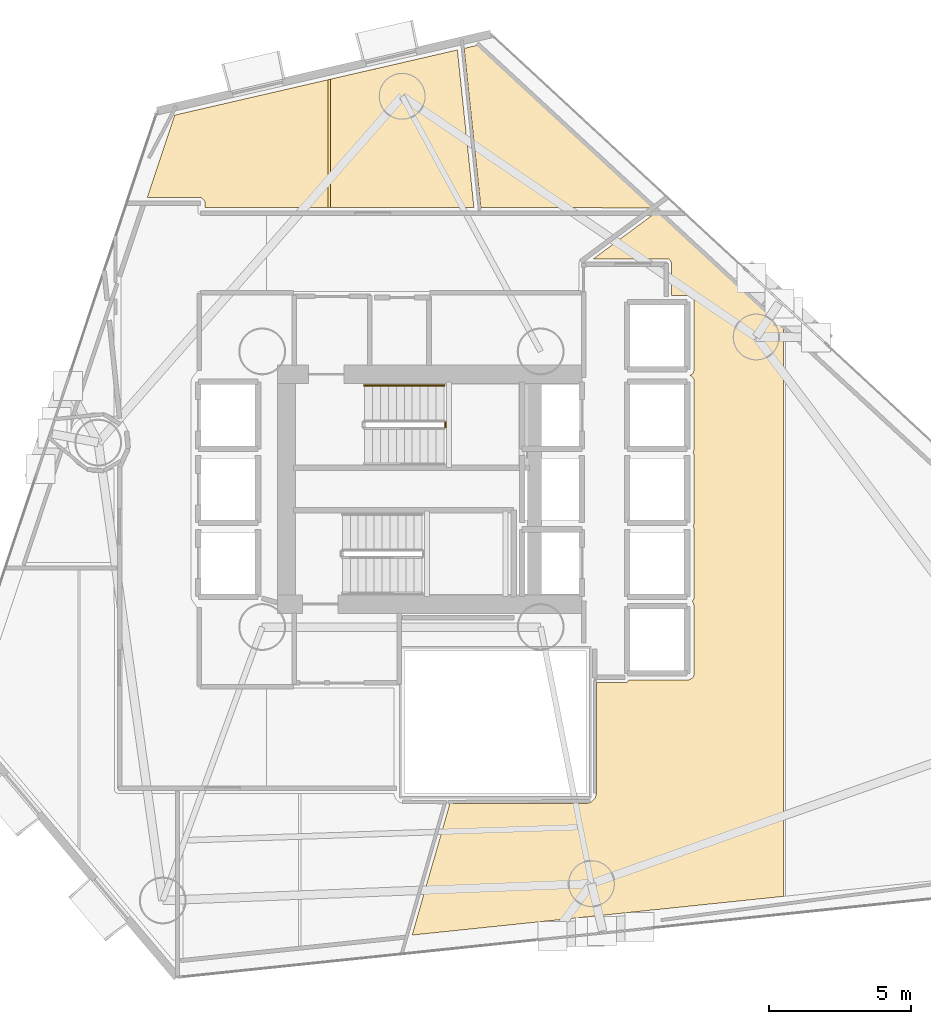
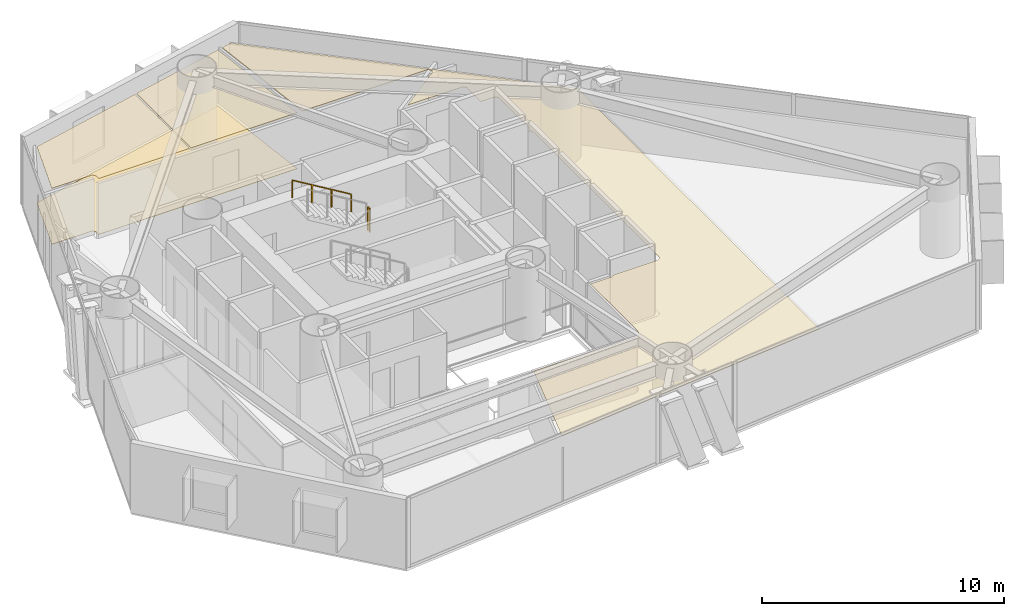
# One storey, part 22 of 23: 4 coverings, 2 railings.
"""IFC4 building model written with IfcOpenShell, lengths in metres."""

from ifc_helpers import new_model, si_unit, direction, frame, origin, origin_2d, place, context, subcontext, project, spatial, polyline, rectangle, outline, extrude, material, layer, layer_set, type_object, element, save


model = new_model("IFC4")

# Units and contexts
model_context = context("Model", 3, precision=1e-05, world=origin(), true_north=direction((0.0, 1.0)))
body_context = subcontext(model_context, "Body", "Model", "MODEL_VIEW")
ifc_project = project(units=[si_unit("LENGTHUNIT", "METRE"), si_unit("AREAUNIT", "SQUARE_METRE"), si_unit("VOLUMEUNIT", "CUBIC_METRE"), si_unit("PLANEANGLEUNIT", "RADIAN"), si_unit("MASSUNIT", "GRAM", prefix="KILO")], contexts=[model_context])

# Site, building, storey
site_placement = place(None, origin())
site = spatial("IfcSite", under=ifc_project, at=site_placement, CompositionType="ELEMENT")
building_placement = place(site_placement, origin())
building = spatial("IfcBuilding", under=site, at=building_placement, Name="Qianvela Tower", CompositionType="ELEMENT")
storey_placement = place(building_placement, frame((0.0, 0.0, 67.300048828125)))
storey = spatial("IfcBuildingStorey", under=building, at=storey_placement, Name="L16", CompositionType="ELEMENT", Elevation=67.300048828125)

# Coverings
ifc_material_1 = material(Name="Perforated Mineral Acoustic Ceiling Tile")
ifc_layer_1 = layer(ifc_material_1, 0.02490234375)
ifc_layer_set_1 = layer_set([ifc_layer_1], Name="Perforated Mineral Acoustic Ceiling Tile")
covering_type_1 = type_object("IfcCoveringType", Name="COV-CEIL-ACOUSTIC-25", PredefinedType="CEILING", material=ifc_layer_set_1)
covering_1_placement = place(storey_placement, frame((0.0, 0.0, 2.81494140625)))
element("IfcCovering", 1, at=covering_1_placement, inside=storey, type_object=covering_type_1, Name="L16 Acoustic Ceiling Bay 1 Tutorial Breakout Seminar L16-03", PredefinedType="CEILING", context=body_context, shape_type="SweptSolid", body=[
    extrude(outline(polyline([(43.785888671875, 24.83154296875), (43.7900390625, 24.839111328125), (43.793212890625, 24.84716796875), (43.79541015625, 24.85546875), (43.796875, 24.864013671875), (43.79736328125, 24.87255859375), (43.800048828125, 27.2998046875), (43.799560546875, 27.307861328125), (43.79833984375, 27.31591796875), (43.79638671875, 27.323486328125), (43.793701171875, 27.3310546875), (43.7646484375, 27.39990234375), (43.793701171875, 27.468994140625), (43.79638671875, 27.476318359375), (43.79833984375, 27.484130859375), (43.799560546875, 27.491943359375), (43.800048828125, 27.5), (43.800048828125, 29.89990234375), (43.799560546875, 29.907958984375), (43.79833984375, 29.915771484375), (43.79638671875, 29.923583984375), (43.793701171875, 29.93115234375), (43.7646484375, 30.0), (43.793701171875, 30.06884765625), (43.79638671875, 30.076416015625), (43.79833984375, 30.084228515625), (43.799560546875, 30.09228515625), (43.800048828125, 30.10009765625), (43.7939453125, 32.540771484375), (43.793701171875, 32.548583984375), (43.79248046875, 32.556396484375), (43.79052734375, 32.56396484375), (43.787841796875, 32.5712890625), (43.784423828125, 32.578369140625), (43.780517578125, 32.585205078125), (43.7353515625, 32.652587890625), (43.73095703125, 32.658447265625), (43.726318359375, 32.6640625), (43.720947265625, 32.6689453125), (43.715087890625, 32.673583984375), (43.708984375, 32.677490234375), (43.702392578125, 32.680908203125), (43.69580078125, 32.68359375), (43.644287109375, 32.701904296875), (43.722412109375, 32.739013671875), (43.729248046875, 32.74267578125), (43.73583984375, 32.746826171875), (43.741943359375, 32.751953125), (43.74755859375, 32.757568359375), (43.75244140625, 32.763427734375), (43.7568359375, 32.77001953125), (43.760498046875, 32.777099609375), (43.763427734375, 32.7841796875), (43.79541015625, 32.873046875), (43.79736328125, 32.879638671875), (43.798828125, 32.886474609375), (43.7998046875, 32.893310546875), (43.800048828125, 32.900146484375), (43.7939453125, 35.3408203125), (43.793701171875, 35.3486328125), (43.79248046875, 35.3564453125), (43.79052734375, 35.364013671875), (43.787841796875, 35.371337890625), (43.784423828125, 35.37841796875), (43.780517578125, 35.385009765625), (43.7353515625, 35.45263671875), (43.730712890625, 35.458984375), (43.725341796875, 35.46484375), (43.719482421875, 35.47021484375), (43.71337890625, 35.474609375), (43.70654296875, 35.478759765625), (43.699462890625, 35.482177734375), (43.624267578125, 35.51318359375), (43.616943359375, 35.515869140625), (43.609375, 35.517822265625), (43.6015625, 35.518798828125), (43.59375, 35.519287109375), (43.0, 35.52001953125), (43.010009765625, 36.6494140625), (43.009765625, 36.6572265625), (43.008544921875, 36.6650390625), (43.006591796875, 36.6728515625), (43.00390625, 36.680419921875), (43.00048828125, 36.6875), (42.99658203125, 36.6943359375), (42.947021484375, 36.768310546875), (42.9423828125, 36.774658203125), (42.937255859375, 36.780517578125), (42.931396484375, 36.78564453125), (42.925048828125, 36.790283203125), (42.91845703125, 36.79443359375), (42.911376953125, 36.7978515625), (42.904052734375, 36.80029296875), (42.896484375, 36.80224609375), (42.888671875, 36.803466796875), (42.880859375, 36.803955078125), (40.26220703125, 36.8095703125), (42.298583984375, 38.321533203125), (42.3046875, 38.32666015625), (42.310302734375, 38.332275390625), (42.315185546875, 38.33837890625), (42.319580078125, 38.34521484375), (42.323486328125, 38.352294921875), (42.35546875, 38.422119140625), (42.3583984375, 38.42919921875), (42.360595703125, 38.4365234375), (42.362060546875, 38.444091796875), (42.36279296875, 38.45166015625), (42.36279296875, 38.459228515625), (42.362060546875, 38.466796875), (42.360595703125, 38.474365234375), (42.3583984375, 38.481689453125), (42.355712890625, 38.48876953125), (42.35205078125, 38.49560546875), (42.347900390625, 38.501953125), (42.29931640625, 38.570068359375), (42.294677734375, 38.576171875), (42.289306640625, 38.58154296875), (42.28369140625, 38.586669921875), (42.277587890625, 38.591064453125), (42.27099609375, 38.5947265625), (42.263916015625, 38.597900390625), (42.2568359375, 38.600341796875), (42.24951171875, 38.602294921875), (42.241943359375, 38.603271484375), (42.234375, 38.603759765625), (36.29736328125, 38.60986328125), (35.708251953125, 44.215087890625), (36.16455078125, 44.3203125), (46.94091796875, 34.35791015625), (46.94091796875, 14.37060546875), (33.878662109375, 13.008544921875), (35.204345703125, 17.639892578125), (40.0, 17.639892578125), (40.006591796875, 17.640380859375), (40.012939453125, 17.64111328125), (40.019287109375, 17.642333984375), (40.1513671875, 17.675537109375), (40.15966796875, 17.677978515625), (40.16748046875, 17.681396484375), (40.175048828125, 17.685791015625), (40.18212890625, 17.690673828125), (40.188720703125, 17.696533203125), (40.303466796875, 17.811279296875), (40.309326171875, 17.81787109375), (40.314208984375, 17.824951171875), (40.318603515625, 17.83251953125), (40.322021484375, 17.84033203125), (40.324462890625, 17.8486328125), (40.357666015625, 17.980712890625), (40.35888671875, 17.987060546875), (40.359619140625, 17.993408203125), (40.360107421875, 18.0), (40.360107421875, 21.889892578125), (41.367919921875, 21.890380859375), (41.375732421875, 21.890869140625), (41.383544921875, 21.891845703125), (41.39111328125, 21.893798828125), (41.3984375, 21.896484375), (41.405517578125, 21.89990234375), (41.45947265625, 21.9287109375), (41.46630859375, 21.932861328125), (41.472900390625, 21.9375), (41.478759765625, 21.943115234375), (41.48388671875, 21.948974609375), (41.48876953125, 21.955322265625), (41.492919921875, 21.96240234375), (41.49609375, 21.969482421875), (41.498779296875, 21.97705078125), (41.49951171875, 21.97998046875), (43.580078125, 21.97998046875), (43.587890625, 21.98046875), (43.595703125, 21.9814453125), (43.603271484375, 21.9833984375), (43.610595703125, 21.986083984375), (43.61767578125, 21.989501953125), (43.734130859375, 22.0517578125), (43.740966796875, 22.0556640625), (43.747314453125, 22.060302734375), (43.7529296875, 22.065673828125), (43.75830078125, 22.071533203125), (43.762939453125, 22.077880859375), (43.76708984375, 22.08447265625), (43.770263671875, 22.091552734375), (43.77294921875, 22.09912109375), (43.796630859375, 22.1767578125), (43.798583984375, 22.184326171875), (43.799560546875, 22.192138671875), (43.800048828125, 22.199951171875), (43.800048828125, 24.60009765625), (43.7998046875, 24.60693359375), (43.798828125, 24.61376953125), (43.79736328125, 24.620361328125), (43.79541015625, 24.626953125), (43.763427734375, 24.7158203125), (43.760498046875, 24.722900390625), (43.7568359375, 24.72998046875), (43.75244140625, 24.736572265625), (43.74755859375, 24.742431640625), (43.741943359375, 24.748046875), (43.73779296875, 24.75146484375), (43.785888671875, 24.83154296875)])), origin(), (0.0, 0.0, 1.0), 0.02490234375),
])
covering_2_placement = place(storey_placement, frame((0.0, 0.0, 2.81494140625)))
element("IfcCovering", 2, at=covering_2_placement, inside=storey, type_object=covering_type_1, Name="L16 Acoustic Ceiling Bay 1 Print Copy Kiosk L16-04", PredefinedType="CEILING", context=body_context, shape_type="SweptSolid", body=[
    extrude(outline(polyline([(26.577880859375, 38.82373046875), (26.576904296875, 38.83154296875), (26.574951171875, 38.839111328125), (26.572265625, 38.846435546875), (26.56884765625, 38.853515625), (26.56494140625, 38.860107421875), (26.560302734375, 38.866455078125), (26.554931640625, 38.872314453125), (26.4921875, 38.93505859375), (26.486328125, 38.940185546875), (26.47998046875, 38.945068359375), (26.473388671875, 38.948974609375), (26.46630859375, 38.952392578125), (26.458984375, 38.955078125), (26.451416015625, 38.956787109375), (26.443603515625, 38.9580078125), (26.435791015625, 38.95849609375), (24.553466796875, 38.9599609375), (25.52001953125, 41.865478515625), (30.91650390625, 43.110107421875), (30.91650390625, 38.610107421875), (26.57958984375, 38.610107421875), (26.57861328125, 38.81591796875), (26.577880859375, 38.82373046875)])), origin(), (0.0, 0.0, 1.0), 0.02490234375),
])
covering_3_placement = place(storey_placement, frame((0.0, 0.0, 2.81494140625)))
element("IfcCovering", 3, at=covering_3_placement, inside=storey, type_object=covering_type_1, Name="L16 Acoustic Ceiling Bay 2 Print Copy Kiosk L16-04", PredefinedType="CEILING", context=body_context, shape_type="SweptSolid", body=[
    extrude(outline(polyline([(35.46875, 44.159912109375), (36.052001953125, 38.610107421875), (30.996337890625, 38.610107421875), (30.996337890625, 43.12841796875), (35.46875, 44.159912109375)])), origin(), (0.0, 0.0, 1.0), 0.02490234375),
])
ifc_material_2 = material(Name="Engineered Acoustic Oak Timber Flooring", Category="wood")
ifc_layer_2 = layer(ifc_material_2, 0.02001953125)
ifc_layer_set_2 = layer_set([ifc_layer_2], Name="Engineered Acoustic Oak Timber Flooring")
covering_type_2 = type_object("IfcCoveringType", Name="COV-FLOOR-OAK-20", PredefinedType="FLOORING", material=ifc_layer_set_2)
covering_4_placement = place(storey_placement, origin())
element("IfcCovering", 4, at=covering_4_placement, inside=storey, type_object=covering_type_2, Name="L16 Finish Flooring Print Copy Kiosk L16-04", PredefinedType="FLOORING", context=body_context, shape_type="SweptSolid", body=[
    extrude(outline(polyline([(26.57861328125, 38.81591796875), (26.577880859375, 38.82373046875), (26.576904296875, 38.83154296875), (26.574951171875, 38.839111328125), (26.572265625, 38.846435546875), (26.56884765625, 38.853515625), (26.56494140625, 38.860107421875), (26.560302734375, 38.866455078125), (26.554931640625, 38.872314453125), (26.4921875, 38.93505859375), (26.486328125, 38.940185546875), (26.47998046875, 38.945068359375), (26.473388671875, 38.948974609375), (26.46630859375, 38.952392578125), (26.458984375, 38.955078125), (26.451416015625, 38.956787109375), (26.443603515625, 38.9580078125), (26.435791015625, 38.95849609375), (24.553466796875, 38.9599609375), (25.52001953125, 41.865478515625), (35.46875, 44.159912109375), (36.052001953125, 38.610107421875), (26.57958984375, 38.610107421875), (26.57861328125, 38.81591796875)])), origin(), (0.0, 0.0, 1.0), 0.02001953125),
])

# Railings
ifc_material_3 = material(Name="Painted Tubular Steel Q355B", Category="steel")
railing_type_1 = type_object("IfcRailingType", Name="RL-STAIR-GUARD-1200", PredefinedType="GUARDRAIL", material=ifc_material_3)
railing_1_placement = place(storey_placement, frame((35.050048828125, 30.889892578125, 1.849853515625)))
element("IfcRailing", 5, at=railing_1_placement, inside=storey, type_object=railing_type_1, Name="L16 ST-1 stair guard 2", PredefinedType="GUARDRAIL", context=body_context, shape_type="SweptSolid", body=[
    extrude(rectangle(XDim=0.050048828125, YDim=0.0400390625, at=origin_2d()), frame((0.0, 0.0, 1.179931640625), z_axis=(0.0, 1.0, 0.0), x_axis=(-1.0, 0.0, 0.0)), (0.0, 0.0, 1.0), 0.16015625),
    extrude(rectangle(XDim=0.050048828125, YDim=0.050048828125, at=origin_2d()), origin(), (0.0, 0.0, 1.0), 1.159912109375),
    extrude(rectangle(XDim=0.050048828125, YDim=0.050048828125, at=origin_2d()), frame((0.0, 0.16015625, 0.0)), (0.0, 0.0, 1.0), 1.159912109375),
])
ifc_material_4 = material(Name="Brushed Stainless Steel 304", Category="steel")
railing_type_2 = type_object("IfcRailingType", Name="RL-STAIR-HANDRAIL-900", PredefinedType="HANDRAIL", material=ifc_material_4)
railing_2_placement = place(storey_placement, frame((35.0, 32.35009765625, 2.01806640625)))
element("IfcRailing", 6, at=railing_2_placement, inside=storey, type_object=railing_type_2, Name="L16 ST-1 stair handrail 2", PredefinedType="HANDRAIL", context=body_context, shape_type="SweptSolid", body=[
    extrude(rectangle(XDim=0.050048828125, YDim=0.0400390625, at=origin_2d()), frame((0.0, 0.0, 0.8798828125), z_axis=(-0.857242210791, 0.0, 0.514913383045), x_axis=(0.0, -1.0, 0.0)), (0.0, 0.0, 1.0), 3.266357421875),
    extrude(rectangle(XDim=0.050048828125, YDim=0.050048828125, at=origin_2d()), origin(), (0.0, 0.0, 1.0), 0.85986328125),
    extrude(rectangle(XDim=0.050048828125, YDim=0.050048828125, at=origin_2d()), frame((-0.933349609375, 0.0, 0.560546875)), (0.0, 0.0, 1.0), 0.85986328125),
    extrude(rectangle(XDim=0.050048828125, YDim=0.050048828125, at=origin_2d()), frame((-1.86669921875, 0.0, 1.121337890625)), (0.0, 0.0, 1.0), 0.85986328125),
    extrude(rectangle(XDim=0.050048828125, YDim=0.050048828125, at=origin_2d()), frame((-2.800048828125, 0.0, 1.681884765625)), (0.0, 0.0, 1.0), 0.85986328125),
])

save(model, "model.ifc")
